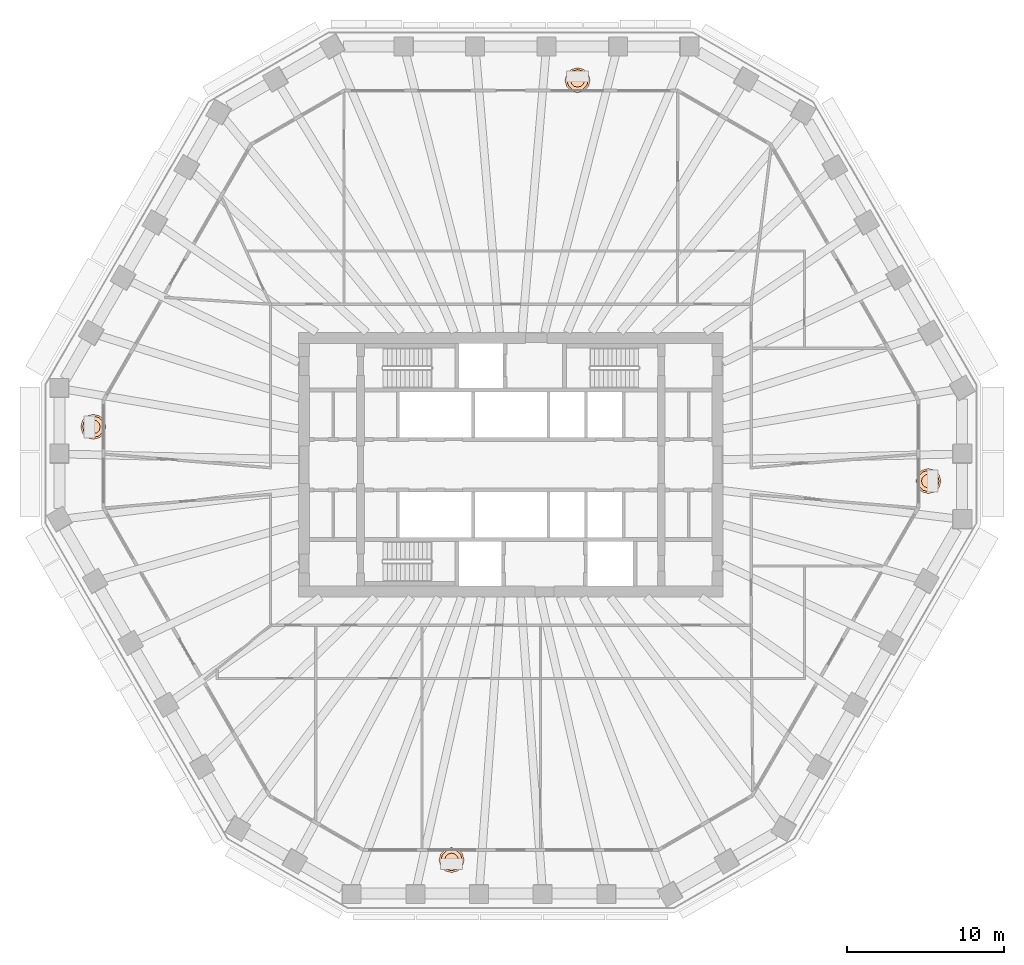
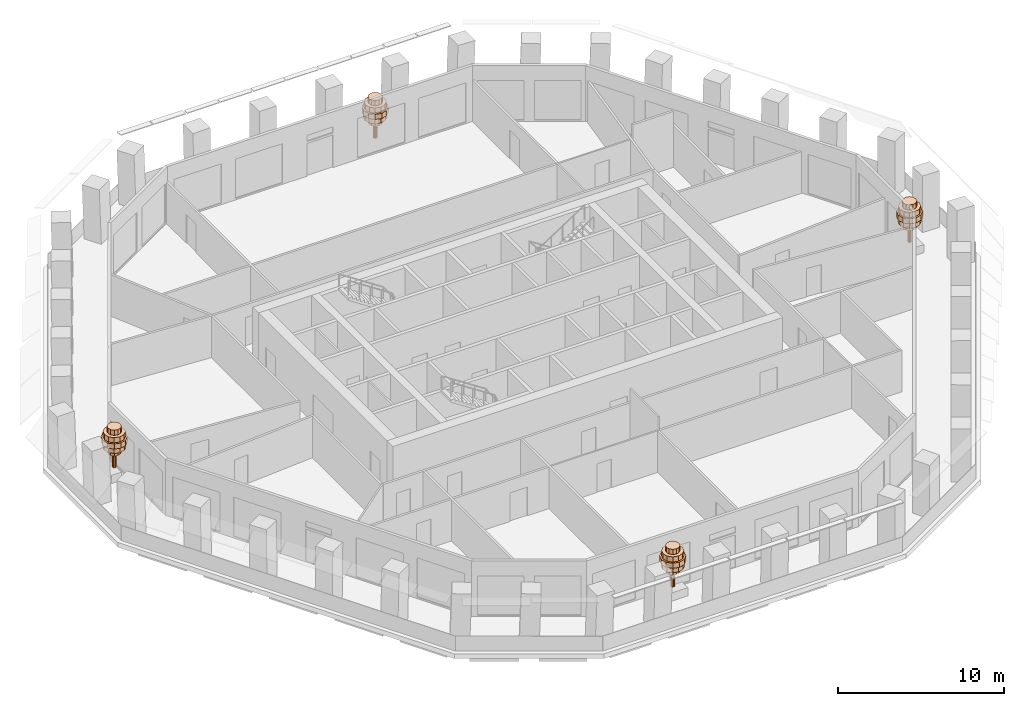
# One storey, part 13 of 13: 4 geographic elements.
"""IFC4 building model written with IfcOpenShell, lengths in metres."""

from ifc_helpers import new_model, si_unit, direction, frame, origin, place, context, subcontext, project, spatial, polyline, outline, extrude, material, type_object, element, save


model = new_model("IFC4")

# Units and contexts
model_context = context("Model", 3, precision=1e-05, world=origin(), true_north=direction((0.0, 1.0)))
body_context = subcontext(model_context, "Body", "Model", "MODEL_VIEW")
ifc_project = project(units=[si_unit("LENGTHUNIT", "METRE"), si_unit("AREAUNIT", "SQUARE_METRE"), si_unit("VOLUMEUNIT", "CUBIC_METRE"), si_unit("PLANEANGLEUNIT", "RADIAN"), si_unit("MASSUNIT", "GRAM", prefix="KILO")], contexts=[model_context])

# Site, building, storey
site_placement = place(None, origin())
site = spatial("IfcSite", under=ifc_project, at=site_placement, CompositionType="ELEMENT")
building_placement = place(site_placement, origin())
building = spatial("IfcBuilding", under=site, at=building_placement, Name="Frailejon Research Tower", CompositionType="ELEMENT")
storey_placement = place(building_placement, frame((0.0, 0.0, 167.199951171875)))
storey = spatial("IfcBuildingStorey", under=building, at=storey_placement, Name="L36", CompositionType="ELEMENT", Elevation=167.199951171875)

# Geographic elements
ifc_material = material(Name="Foliage, green")
geographic_element_type = type_object("IfcGeographicElementType", Name="Frailejon tree, loggia", PredefinedType="USERDEFINED", material=ifc_material)
geographic_element_1_placement = place(storey_placement, frame((26.662109375, -1.040771484375, 0.60009765625)))
element("IfcGeographicElement", 1, at=geographic_element_1_placement, inside=storey, type_object=geographic_element_type, Name="Tree L36", ObjectType="TREE", PredefinedType="USERDEFINED", context=body_context, shape_type="SweptSolid", body=[
    extrude(outline(polyline([(0.1298828125, 0.0), (0.112548828125, 0.06494140625), (0.06494140625, 0.112548828125), (0.0, 0.1298828125), (-0.06494140625, 0.112548828125), (-0.112548828125, 0.06494140625), (-0.1298828125, 0.0), (-0.112548828125, -0.06494140625), (-0.06494140625, -0.112548828125), (0.0, -0.1298828125), (0.06494140625, -0.112548828125), (0.112548828125, -0.06494140625), (0.1298828125, 0.0)])), origin(), (0.0, 0.0, 1.0), 2.239990234375),
    extrude(outline(polyline([(0.43994140625, 0.0), (0.381103515625, 0.219970703125), (0.219970703125, 0.381103515625), (0.0, 0.43994140625), (-0.219970703125, 0.381103515625), (-0.381103515625, 0.219970703125), (-0.43994140625, 0.0), (-0.381103515625, -0.219970703125), (-0.219970703125, -0.381103515625), (0.0, -0.43994140625), (0.219970703125, -0.381103515625), (0.381103515625, -0.219970703125), (0.43994140625, 0.0)])), frame((0.0, 0.0, 1.10009765625)), (0.0, 0.0, 1.0), 0.3798828125),
    extrude(outline(polyline([(0.719970703125, 0.0), (0.62353515625, 0.360107421875), (0.360107421875, 0.62353515625), (0.0, 0.719970703125), (-0.360107421875, 0.62353515625), (-0.62353515625, 0.360107421875), (-0.719970703125, 0.0), (-0.62353515625, -0.360107421875), (-0.360107421875, -0.62353515625), (0.0, -0.719970703125), (0.360107421875, -0.62353515625), (0.62353515625, -0.360107421875), (0.719970703125, 0.0)])), frame((0.0, 0.0, 1.47998046875)), (0.0, 0.0, 1.0), 0.3798828125),
    extrude(outline(polyline([(0.800048828125, 0.0), (0.69287109375, 0.39990234375), (0.39990234375, 0.69287109375), (0.0, 0.800048828125), (-0.39990234375, 0.69287109375), (-0.69287109375, 0.39990234375), (-0.800048828125, 0.0), (-0.69287109375, -0.39990234375), (-0.39990234375, -0.69287109375), (0.0, -0.800048828125), (0.39990234375, -0.69287109375), (0.69287109375, -0.39990234375), (0.800048828125, 0.0)])), frame((0.0, 0.0, 1.860107421875)), (0.0, 0.0, 1.0), 0.3798828125),
    extrude(outline(polyline([(0.679931640625, 0.0), (0.5888671875, 0.340087890625), (0.340087890625, 0.5888671875), (0.0, 0.679931640625), (-0.340087890625, 0.5888671875), (-0.5888671875, 0.340087890625), (-0.679931640625, 0.0), (-0.5888671875, -0.340087890625), (-0.340087890625, -0.5888671875), (0.0, -0.679931640625), (0.340087890625, -0.5888671875), (0.5888671875, -0.340087890625), (0.679931640625, 0.0)])), frame((0.0, 0.0, 2.239990234375)), (0.0, 0.0, 1.0), 0.3798828125),
    extrude(outline(polyline([(0.43994140625, 0.0), (0.381103515625, 0.219970703125), (0.219970703125, 0.381103515625), (0.0, 0.43994140625), (-0.219970703125, 0.381103515625), (-0.381103515625, 0.219970703125), (-0.43994140625, 0.0), (-0.381103515625, -0.219970703125), (-0.219970703125, -0.381103515625), (0.0, -0.43994140625), (0.219970703125, -0.381103515625), (0.381103515625, -0.219970703125), (0.43994140625, 0.0)])), frame((0.0, 0.0, 2.6201171875)), (0.0, 0.0, 1.0), 0.3798828125),
])
geographic_element_2_placement = place(storey_placement, frame((4.261962890625, 24.550048828125, 0.60009765625)))
element("IfcGeographicElement", 2, at=geographic_element_2_placement, inside=storey, type_object=geographic_element_type, Name="Tree L36", ObjectType="TREE", PredefinedType="USERDEFINED", context=body_context, shape_type="SweptSolid", body=[
    extrude(outline(polyline([(0.1298828125, 0.0), (0.112548828125, 0.06494140625), (0.06494140625, 0.112548828125), (0.0, 0.1298828125), (-0.06494140625, 0.112548828125), (-0.112548828125, 0.06494140625), (-0.1298828125, 0.0), (-0.112548828125, -0.06494140625), (-0.06494140625, -0.112548828125), (0.0, -0.1298828125), (0.06494140625, -0.112548828125), (0.112548828125, -0.06494140625), (0.1298828125, 0.0)])), origin(), (0.0, 0.0, 1.0), 2.239990234375),
    extrude(outline(polyline([(0.43994140625, 0.0), (0.381103515625, 0.219970703125), (0.219970703125, 0.381103515625), (0.0, 0.43994140625), (-0.219970703125, 0.381103515625), (-0.381103515625, 0.219970703125), (-0.43994140625, 0.0), (-0.381103515625, -0.219970703125), (-0.219970703125, -0.381103515625), (0.0, -0.43994140625), (0.219970703125, -0.381103515625), (0.381103515625, -0.219970703125), (0.43994140625, 0.0)])), frame((0.0, 0.0, 1.10009765625)), (0.0, 0.0, 1.0), 0.3798828125),
    extrude(outline(polyline([(0.719970703125, 0.0), (0.62353515625, 0.360107421875), (0.360107421875, 0.62353515625), (0.0, 0.719970703125), (-0.360107421875, 0.62353515625), (-0.62353515625, 0.360107421875), (-0.719970703125, 0.0), (-0.62353515625, -0.360107421875), (-0.360107421875, -0.62353515625), (0.0, -0.719970703125), (0.360107421875, -0.62353515625), (0.62353515625, -0.360107421875), (0.719970703125, 0.0)])), frame((0.0, 0.0, 1.47998046875)), (0.0, 0.0, 1.0), 0.3798828125),
    extrude(outline(polyline([(0.800048828125, 0.0), (0.69287109375, 0.39990234375), (0.39990234375, 0.69287109375), (0.0, 0.800048828125), (-0.39990234375, 0.69287109375), (-0.69287109375, 0.39990234375), (-0.800048828125, 0.0), (-0.69287109375, -0.39990234375), (-0.39990234375, -0.69287109375), (0.0, -0.800048828125), (0.39990234375, -0.69287109375), (0.69287109375, -0.39990234375), (0.800048828125, 0.0)])), frame((0.0, 0.0, 1.860107421875)), (0.0, 0.0, 1.0), 0.3798828125),
    extrude(outline(polyline([(0.679931640625, 0.0), (0.5888671875, 0.340087890625), (0.340087890625, 0.5888671875), (0.0, 0.679931640625), (-0.340087890625, 0.5888671875), (-0.5888671875, 0.340087890625), (-0.679931640625, 0.0), (-0.5888671875, -0.340087890625), (-0.340087890625, -0.5888671875), (0.0, -0.679931640625), (0.340087890625, -0.5888671875), (0.5888671875, -0.340087890625), (0.679931640625, 0.0)])), frame((0.0, 0.0, 2.239990234375)), (0.0, 0.0, 1.0), 0.3798828125),
    extrude(outline(polyline([(0.43994140625, 0.0), (0.381103515625, 0.219970703125), (0.219970703125, 0.381103515625), (0.0, 0.43994140625), (-0.219970703125, 0.381103515625), (-0.381103515625, 0.219970703125), (-0.43994140625, 0.0), (-0.381103515625, -0.219970703125), (-0.219970703125, -0.381103515625), (0.0, -0.43994140625), (0.219970703125, -0.381103515625), (0.381103515625, -0.219970703125), (0.43994140625, 0.0)])), frame((0.0, 0.0, 2.6201171875)), (0.0, 0.0, 1.0), 0.3798828125),
])
geographic_element_3_placement = place(storey_placement, frame((-26.662109375, 2.42333984375, 0.60009765625)))
element("IfcGeographicElement", 3, at=geographic_element_3_placement, inside=storey, type_object=geographic_element_type, Name="Tree L36", ObjectType="TREE", PredefinedType="USERDEFINED", context=body_context, shape_type="SweptSolid", body=[
    extrude(outline(polyline([(0.1298828125, 0.0), (0.112548828125, 0.06494140625), (0.06494140625, 0.112548828125), (0.0, 0.1298828125), (-0.06494140625, 0.112548828125), (-0.112548828125, 0.06494140625), (-0.1298828125, 0.0), (-0.112548828125, -0.06494140625), (-0.06494140625, -0.112548828125), (0.0, -0.1298828125), (0.06494140625, -0.112548828125), (0.112548828125, -0.06494140625), (0.1298828125, 0.0)])), origin(), (0.0, 0.0, 1.0), 2.239990234375),
    extrude(outline(polyline([(0.43994140625, 0.0), (0.381103515625, 0.219970703125), (0.219970703125, 0.381103515625), (0.0, 0.43994140625), (-0.219970703125, 0.381103515625), (-0.381103515625, 0.219970703125), (-0.43994140625, 0.0), (-0.381103515625, -0.219970703125), (-0.219970703125, -0.381103515625), (0.0, -0.43994140625), (0.219970703125, -0.381103515625), (0.381103515625, -0.219970703125), (0.43994140625, 0.0)])), frame((0.0, 0.0, 1.10009765625)), (0.0, 0.0, 1.0), 0.3798828125),
    extrude(outline(polyline([(0.719970703125, 0.0), (0.62353515625, 0.360107421875), (0.360107421875, 0.62353515625), (0.0, 0.719970703125), (-0.360107421875, 0.62353515625), (-0.62353515625, 0.360107421875), (-0.719970703125, 0.0), (-0.62353515625, -0.360107421875), (-0.360107421875, -0.62353515625), (0.0, -0.719970703125), (0.360107421875, -0.62353515625), (0.62353515625, -0.360107421875), (0.719970703125, 0.0)])), frame((0.0, 0.0, 1.47998046875)), (0.0, 0.0, 1.0), 0.3798828125),
    extrude(outline(polyline([(0.800048828125, 0.0), (0.69287109375, 0.39990234375), (0.39990234375, 0.69287109375), (0.0, 0.800048828125), (-0.39990234375, 0.69287109375), (-0.69287109375, 0.39990234375), (-0.800048828125, 0.0), (-0.69287109375, -0.39990234375), (-0.39990234375, -0.69287109375), (0.0, -0.800048828125), (0.39990234375, -0.69287109375), (0.69287109375, -0.39990234375), (0.800048828125, 0.0)])), frame((0.0, 0.0, 1.860107421875)), (0.0, 0.0, 1.0), 0.3798828125),
    extrude(outline(polyline([(0.679931640625, 0.0), (0.5888671875, 0.340087890625), (0.340087890625, 0.5888671875), (0.0, 0.679931640625), (-0.340087890625, 0.5888671875), (-0.5888671875, 0.340087890625), (-0.679931640625, 0.0), (-0.5888671875, -0.340087890625), (-0.340087890625, -0.5888671875), (0.0, -0.679931640625), (0.340087890625, -0.5888671875), (0.5888671875, -0.340087890625), (0.679931640625, 0.0)])), frame((0.0, 0.0, 2.239990234375)), (0.0, 0.0, 1.0), 0.3798828125),
    extrude(outline(polyline([(0.43994140625, 0.0), (0.381103515625, 0.219970703125), (0.219970703125, 0.381103515625), (0.0, 0.43994140625), (-0.219970703125, 0.381103515625), (-0.381103515625, 0.219970703125), (-0.43994140625, 0.0), (-0.381103515625, -0.219970703125), (-0.219970703125, -0.381103515625), (0.0, -0.43994140625), (0.219970703125, -0.381103515625), (0.381103515625, -0.219970703125), (0.43994140625, 0.0)])), frame((0.0, 0.0, 2.6201171875)), (0.0, 0.0, 1.0), 0.3798828125),
])
geographic_element_4_placement = place(storey_placement, frame((-3.782958984375, -25.241455078125, 0.60009765625)))
element("IfcGeographicElement", 4, at=geographic_element_4_placement, inside=storey, type_object=geographic_element_type, Name="Tree L36", ObjectType="TREE", PredefinedType="USERDEFINED", context=body_context, shape_type="SweptSolid", body=[
    extrude(outline(polyline([(0.1298828125, 0.0), (0.112548828125, 0.06494140625), (0.06494140625, 0.112548828125), (0.0, 0.1298828125), (-0.06494140625, 0.112548828125), (-0.112548828125, 0.06494140625), (-0.1298828125, 0.0), (-0.112548828125, -0.06494140625), (-0.06494140625, -0.112548828125), (0.0, -0.1298828125), (0.06494140625, -0.112548828125), (0.112548828125, -0.06494140625), (0.1298828125, 0.0)])), origin(), (0.0, 0.0, 1.0), 2.239990234375),
    extrude(outline(polyline([(0.43994140625, 0.0), (0.381103515625, 0.219970703125), (0.219970703125, 0.381103515625), (0.0, 0.43994140625), (-0.219970703125, 0.381103515625), (-0.381103515625, 0.219970703125), (-0.43994140625, 0.0), (-0.381103515625, -0.219970703125), (-0.219970703125, -0.381103515625), (0.0, -0.43994140625), (0.219970703125, -0.381103515625), (0.381103515625, -0.219970703125), (0.43994140625, 0.0)])), frame((0.0, 0.0, 1.10009765625)), (0.0, 0.0, 1.0), 0.3798828125),
    extrude(outline(polyline([(0.719970703125, 0.0), (0.62353515625, 0.360107421875), (0.360107421875, 0.62353515625), (0.0, 0.719970703125), (-0.360107421875, 0.62353515625), (-0.62353515625, 0.360107421875), (-0.719970703125, 0.0), (-0.62353515625, -0.360107421875), (-0.360107421875, -0.62353515625), (0.0, -0.719970703125), (0.360107421875, -0.62353515625), (0.62353515625, -0.360107421875), (0.719970703125, 0.0)])), frame((0.0, 0.0, 1.47998046875)), (0.0, 0.0, 1.0), 0.3798828125),
    extrude(outline(polyline([(0.800048828125, 0.0), (0.69287109375, 0.39990234375), (0.39990234375, 0.69287109375), (0.0, 0.800048828125), (-0.39990234375, 0.69287109375), (-0.69287109375, 0.39990234375), (-0.800048828125, 0.0), (-0.69287109375, -0.39990234375), (-0.39990234375, -0.69287109375), (0.0, -0.800048828125), (0.39990234375, -0.69287109375), (0.69287109375, -0.39990234375), (0.800048828125, 0.0)])), frame((0.0, 0.0, 1.860107421875)), (0.0, 0.0, 1.0), 0.3798828125),
    extrude(outline(polyline([(0.679931640625, 0.0), (0.5888671875, 0.340087890625), (0.340087890625, 0.5888671875), (0.0, 0.679931640625), (-0.340087890625, 0.5888671875), (-0.5888671875, 0.340087890625), (-0.679931640625, 0.0), (-0.5888671875, -0.340087890625), (-0.340087890625, -0.5888671875), (0.0, -0.679931640625), (0.340087890625, -0.5888671875), (0.5888671875, -0.340087890625), (0.679931640625, 0.0)])), frame((0.0, 0.0, 2.239990234375)), (0.0, 0.0, 1.0), 0.3798828125),
    extrude(outline(polyline([(0.43994140625, 0.0), (0.381103515625, 0.219970703125), (0.219970703125, 0.381103515625), (0.0, 0.43994140625), (-0.219970703125, 0.381103515625), (-0.381103515625, 0.219970703125), (-0.43994140625, 0.0), (-0.381103515625, -0.219970703125), (-0.219970703125, -0.381103515625), (0.0, -0.43994140625), (0.219970703125, -0.381103515625), (0.381103515625, -0.219970703125), (0.43994140625, 0.0)])), frame((0.0, 0.0, 2.6201171875)), (0.0, 0.0, 1.0), 0.3798828125),
])

save(model, "model.ifc")
